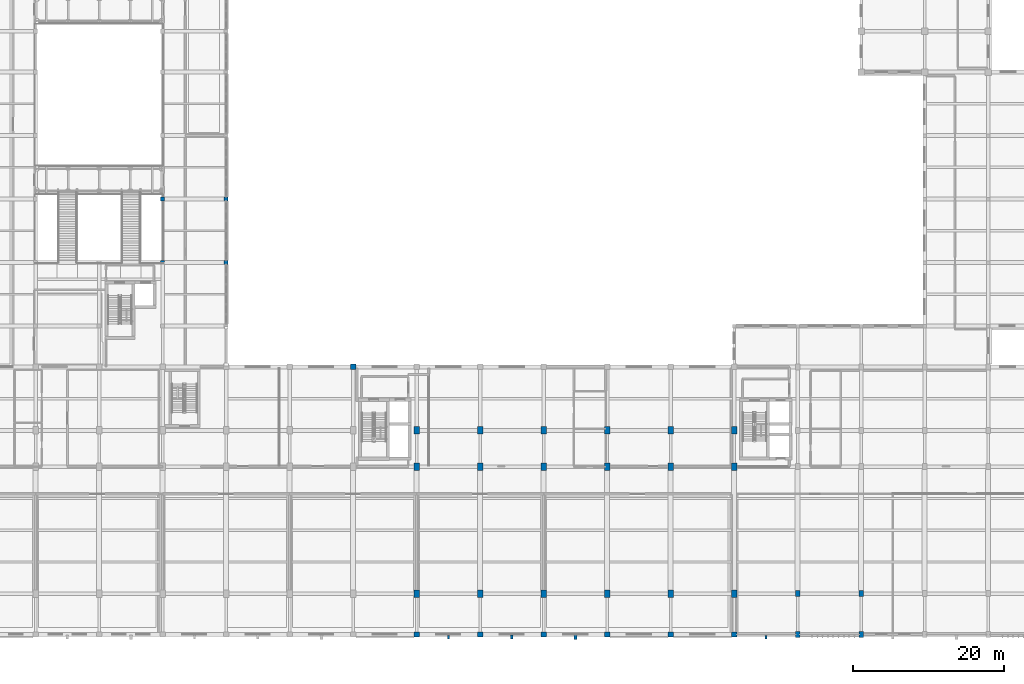
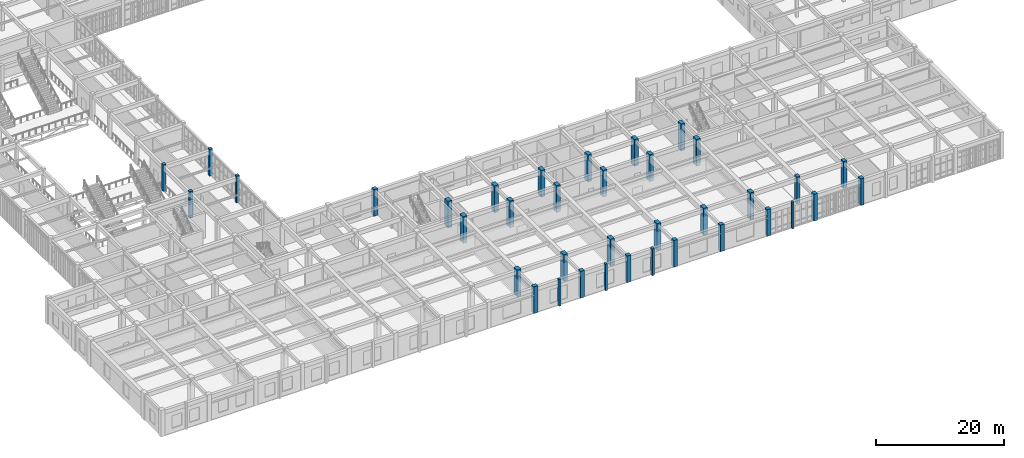
# One storey, part 8 of 106: 37 columns.
"""IFC4 building model written with IfcOpenShell, lengths in metres."""

from ifc_helpers import new_model, si_unit, direction, frame, origin, origin_2d, place, context, subcontext, project, spatial, rectangle, extrude, material, material_profile, profile_set, type_object, element, save


model = new_model("IFC4")

# Units and contexts
model_context = context("Model", 3, precision=1e-05, world=origin(), true_north=direction((0.0, 1.0)))
body_context = subcontext(model_context, "Body", "Model", "MODEL_VIEW")
ifc_project = project(units=[si_unit("LENGTHUNIT", "METRE"), si_unit("AREAUNIT", "SQUARE_METRE"), si_unit("VOLUMEUNIT", "CUBIC_METRE"), si_unit("PLANEANGLEUNIT", "RADIAN"), si_unit("MASSUNIT", "GRAM", prefix="KILO")], contexts=[model_context])

# Site, building, storey
site_placement = place(None, origin())
site = spatial("IfcSite", under=ifc_project, at=site_placement, CompositionType="ELEMENT")
building_placement = place(site_placement, origin())
building = spatial("IfcBuilding", under=site, at=building_placement, Name="Krzemoval Escarpment Law Courts", CompositionType="ELEMENT")
storey_placement = place(building_placement, frame((0.0, 0.0, 5.10009765625)))
storey = spatial("IfcBuildingStorey", under=building, at=storey_placement, Name="L01", CompositionType="ELEMENT", Elevation=5.10009765625)

# Columns
ifc_material_1 = material(Name="Concrete C40/50", Category="concrete")
ifc_material_profile_1 = material_profile(ifc_material_1, rectangle(XDim=0.550048828125, YDim=0.550048828125, at=origin_2d()), Name="RC 550x550")
ifc_profile_set_1 = profile_set([ifc_material_profile_1], Name="Concrete C40/50")
column_type_1 = type_object("IfcColumnType", Name="COL-RC-550", PredefinedType="COLUMN", material=ifc_profile_set_1)
for number, where, z_axis, x_axis, name in (
    (1, (33.60009765625, 49.199951171875, 0.0), (0.0, 0.0, 1.0), (1.0, 0.0, 0.0), "Column FC-L01-0604"),
    (2, (33.60009765625, 57.60009765625, 0.0), (0.0, 0.0, 1.0), (1.0, 0.0, 0.0), "Column FC-L01-0605"),
    (3, (42.0, 49.199951171875, 0.0), (0.0, 0.0, 1.0), (1.0, 0.0, 0.0), "Column FC-L01-0621"),
    (4, (42.0, 57.60009765625, 0.0), (0.0, 0.0, 1.0), (1.0, 0.0, 0.0), "Column FC-L01-0622"),
):
    element("IfcColumn", number, at=place(storey_placement, frame(where, z_axis=z_axis, x_axis=x_axis)), inside=storey, type_object=column_type_1, Name=name, PredefinedType="COLUMN", context=body_context, shape_type="SweptSolid", body=[
        extrude(rectangle(XDim=0.550048828125, YDim=0.550048828125, at=origin_2d()), origin(), (0.0, 0.0, 1.0), 5.099853515625),
    ])
ifc_material_2 = material(Name="Concrete C40/50", Category="concrete")
ifc_material_profile_2 = material_profile(ifc_material_2, rectangle(XDim=0.60009765625, YDim=0.800048828125, at=origin_2d()), Name="RC 600x800")
ifc_profile_set_2 = profile_set([ifc_material_profile_2], Name="Concrete C40/50")
column_type_2 = type_object("IfcColumnType", Name="COL-RC-600x800", PredefinedType="COLUMN", material=ifc_profile_set_2)
for number, where, z_axis, x_axis, name in (
    (5, (117.60009765625, 0.0, 0.0), (0.0, 0.0, 1.0), (1.0, 0.0, 0.0), "Column FC-L01-0697"),
    (6, (117.60009765625, 5.39990234375, 0.0), (0.0, 0.0, 1.0), (1.0, 0.0, 0.0), "Column FC-L01-0698"),
    (7, (126.0, 0.0, 0.0), (0.0, 0.0, 1.0), (1.0, 0.0, 0.0), "Column FC-L01-0706"),
    (8, (126.0, 5.39990234375, 0.0), (0.0, 0.0, 1.0), (1.0, 0.0, 0.0), "Column FC-L01-0707"),
):
    element("IfcColumn", number, at=place(storey_placement, frame(where, z_axis=z_axis, x_axis=x_axis)), inside=storey, type_object=column_type_2, Name=name, PredefinedType="COLUMN", context=body_context, shape_type="SweptSolid", body=[
        extrude(rectangle(XDim=0.60009765625, YDim=0.800048828125, at=origin_2d()), origin(), (0.0, 0.0, 1.0), 5.099853515625),
    ])
ifc_material_3 = material(Name="Concrete C40/50", Category="concrete")
ifc_material_profile_3 = material_profile(ifc_material_3, rectangle(XDim=0.699951171875, YDim=0.699951171875, at=origin_2d()), Name="RC 700x700")
ifc_profile_set_3 = profile_set([ifc_material_profile_3], Name="Concrete C40/50")
column_type_3 = type_object("IfcColumnType", Name="COL-RC-700", PredefinedType="COLUMN", material=ifc_profile_set_3)
for number, where, z_axis, x_axis, name in (
    (9, (58.800048828125, 35.39990234375, 0.0), (0.0, 0.0, 1.0), (1.0, 0.0, 0.0), "Column FC-L01-0644"),
    (10, (67.199951171875, 0.0, 0.0), (0.0, 0.0, 1.0), (1.0, 0.0, 0.0), "Column FC-L01-0648"),
    (11, (75.60009765625, 0.0, 0.0), (0.0, 0.0, 1.0), (1.0, 0.0, 0.0), "Column FC-L01-0656"),
    (12, (84.0, 0.0, 0.0), (0.0, 0.0, 1.0), (1.0, 0.0, 0.0), "Column FC-L01-0664"),
    (13, (92.39990234375, 0.0, 0.0), (0.0, 0.0, 1.0), (1.0, 0.0, 0.0), "Column FC-L01-0672"),
    (14, (100.800048828125, 0.0, 0.0), (0.0, 0.0, 1.0), (1.0, 0.0, 0.0), "Column FC-L01-0680"),
    (15, (109.199951171875, 0.0, 0.0), (0.0, 0.0, 1.0), (1.0, 0.0, 0.0), "Column FC-L01-0688"),
):
    element("IfcColumn", number, at=place(storey_placement, frame(where, z_axis=z_axis, x_axis=x_axis)), inside=storey, type_object=column_type_3, Name=name, PredefinedType="COLUMN", context=body_context, shape_type="SweptSolid", body=[
        extrude(rectangle(XDim=0.699951171875, YDim=0.699951171875, at=origin_2d()), origin(), (0.0, 0.0, 1.0), 5.099853515625),
    ])
ifc_material_4 = material(Name="Concrete C50/60", Category="concrete")
ifc_material_profile_4 = material_profile(ifc_material_4, rectangle(XDim=0.699951171875, YDim=1.0, at=origin_2d()), Name="RC 700x1000")
ifc_profile_set_4 = profile_set([ifc_material_profile_4], Name="Concrete C50/60")
column_type_4 = type_object("IfcColumnType", Name="COL-RC-700x1000", PredefinedType="COLUMN", material=ifc_profile_set_4)
for number, where, z_axis, x_axis, name in (
    (16, (67.199951171875, 5.39990234375, 0.0), (0.0, 0.0, 1.0), (1.0, 0.0, 0.0), "Column FC-L01-0649"),
    (17, (67.199951171875, 22.199951171875, 0.0), (0.0, 0.0, 1.0), (1.0, 0.0, 0.0), "Column FC-L01-0650"),
    (18, (67.199951171875, 27.0, 0.0), (0.0, 0.0, 1.0), (1.0, 0.0, 0.0), "Column FC-L01-0651"),
    (19, (75.60009765625, 5.39990234375, 0.0), (0.0, 0.0, 1.0), (1.0, 0.0, 0.0), "Column FC-L01-0657"),
    (20, (75.60009765625, 22.199951171875, 0.0), (0.0, 0.0, 1.0), (1.0, 0.0, 0.0), "Column FC-L01-0658"),
    (21, (75.60009765625, 27.0, 0.0), (0.0, 0.0, 1.0), (1.0, 0.0, 0.0), "Column FC-L01-0659"),
    (22, (84.0, 5.39990234375, 0.0), (0.0, 0.0, 1.0), (1.0, 0.0, 0.0), "Column FC-L01-0665"),
    (23, (84.0, 22.199951171875, 0.0), (0.0, 0.0, 1.0), (1.0, 0.0, 0.0), "Column FC-L01-0666"),
    (24, (84.0, 27.0, 0.0), (0.0, 0.0, 1.0), (1.0, 0.0, 0.0), "Column FC-L01-0667"),
    (25, (92.39990234375, 5.39990234375, 0.0), (0.0, 0.0, 1.0), (1.0, 0.0, 0.0), "Column FC-L01-0673"),
    (26, (92.39990234375, 22.199951171875, 0.0), (0.0, 0.0, 1.0), (1.0, 0.0, 0.0), "Column FC-L01-0674"),
    (27, (92.39990234375, 27.0, 0.0), (0.0, 0.0, 1.0), (1.0, 0.0, 0.0), "Column FC-L01-0675"),
    (28, (100.800048828125, 5.39990234375, 0.0), (0.0, 0.0, 1.0), (1.0, 0.0, 0.0), "Column FC-L01-0681"),
    (29, (100.800048828125, 22.199951171875, 0.0), (0.0, 0.0, 1.0), (1.0, 0.0, 0.0), "Column FC-L01-0682"),
    (30, (100.800048828125, 27.0, 0.0), (0.0, 0.0, 1.0), (1.0, 0.0, 0.0), "Column FC-L01-0683"),
    (31, (109.199951171875, 5.39990234375, 0.0), (0.0, 0.0, 1.0), (1.0, 0.0, 0.0), "Column FC-L01-0689"),
    (32, (109.199951171875, 22.199951171875, 0.0), (0.0, 0.0, 1.0), (1.0, 0.0, 0.0), "Column FC-L01-0690"),
    (33, (109.199951171875, 27.0, 0.0), (0.0, 0.0, 1.0), (1.0, 0.0, 0.0), "Column FC-L01-0691"),
):
    element("IfcColumn", number, at=place(storey_placement, frame(where, z_axis=z_axis, x_axis=x_axis)), inside=storey, type_object=column_type_4, Name=name, PredefinedType="COLUMN", context=body_context, shape_type="SweptSolid", body=[
        extrude(rectangle(XDim=0.699951171875, YDim=1.0, at=origin_2d()), origin(), (0.0, 0.0, 1.0), 5.099853515625),
    ])
ifc_material_5 = material(Name="Precast concrete C40/50", Category="concrete")
ifc_material_profile_5 = material_profile(ifc_material_5, rectangle(XDim=0.300048828125, YDim=0.449951171875, at=origin_2d()), Name="PIL 300x450")
ifc_profile_set_5 = profile_set([ifc_material_profile_5], Name="Precast concrete C40/50")
column_type_5 = type_object("IfcColumnType", Name="PIL-PC-300x450", PredefinedType="PILASTER", material=ifc_profile_set_5)
for number, where, z_axis, x_axis, name in (
    (34, (71.39990234375, -0.35009765625, 0.0), (0.0, 0.0, 1.0), (1.0, 0.0, 0.0), "Facade Pilaster PIL-L01-033"),
    (35, (113.39990234375, -0.35009765625, 0.0), (0.0, 0.0, 1.0), (1.0, 0.0, 0.0), "Facade Pilaster PIL-L01-048"),
):
    element("IfcColumn", number, at=place(storey_placement, frame(where, z_axis=z_axis, x_axis=x_axis)), inside=storey, type_object=column_type_5, Name=name, PredefinedType="PILASTER", context=body_context, shape_type="SweptSolid", body=[
        extrude(rectangle(XDim=0.300048828125, YDim=0.449951171875, at=origin_2d()), origin(), (0.0, 0.0, 1.0), 5.099853515625),
    ])
ifc_material_6 = material(Name="Precast concrete C40/50", Category="concrete")
ifc_material_profile_6 = material_profile(ifc_material_6, rectangle(XDim=0.35009765625, YDim=0.5, at=origin_2d()), Name="PIL 350x500")
ifc_profile_set_6 = profile_set([ifc_material_profile_6], Name="Precast concrete C40/50")
column_type_6 = type_object("IfcColumnType", Name="PIL-PC-350x500", PredefinedType="PILASTER", material=ifc_profile_set_6)
column_1_placement = place(storey_placement, frame((79.800048828125, -0.35009765625, 0.0), z_axis=(0.0, 0.0, 1.0), x_axis=(1.0, 0.0, 0.0)))
element("IfcColumn", 36, at=column_1_placement, inside=storey, type_object=column_type_6, Name="Facade Pilaster PIL-L01-038", PredefinedType="PILASTER", context=body_context, shape_type="SweptSolid", body=[
    extrude(rectangle(XDim=0.35009765625, YDim=0.5, at=origin_2d()), origin(), (0.0, 0.0, 1.0), 5.099853515625),
])
ifc_material_7 = material(Name="Precast concrete C40/50", Category="concrete")
ifc_material_profile_7 = material_profile(ifc_material_7, rectangle(XDim=0.39990234375, YDim=0.60009765625, at=origin_2d()), Name="PIL 400x600")
ifc_profile_set_7 = profile_set([ifc_material_profile_7], Name="Precast concrete C40/50")
column_type_7 = type_object("IfcColumnType", Name="PIL-PC-400x600", PredefinedType="PILASTER", material=ifc_profile_set_7)
column_2_placement = place(storey_placement, frame((88.199951171875, -0.35009765625, 0.0), z_axis=(0.0, 0.0, 1.0), x_axis=(1.0, 0.0, 0.0)))
element("IfcColumn", 37, at=column_2_placement, inside=storey, type_object=column_type_7, Name="Facade Pilaster PIL-L01-043", PredefinedType="PILASTER", context=body_context, shape_type="SweptSolid", body=[
    extrude(rectangle(XDim=0.39990234375, YDim=0.60009765625, at=origin_2d()), origin(), (0.0, 0.0, 1.0), 5.099853515625),
])

save(model, "model.ifc")
